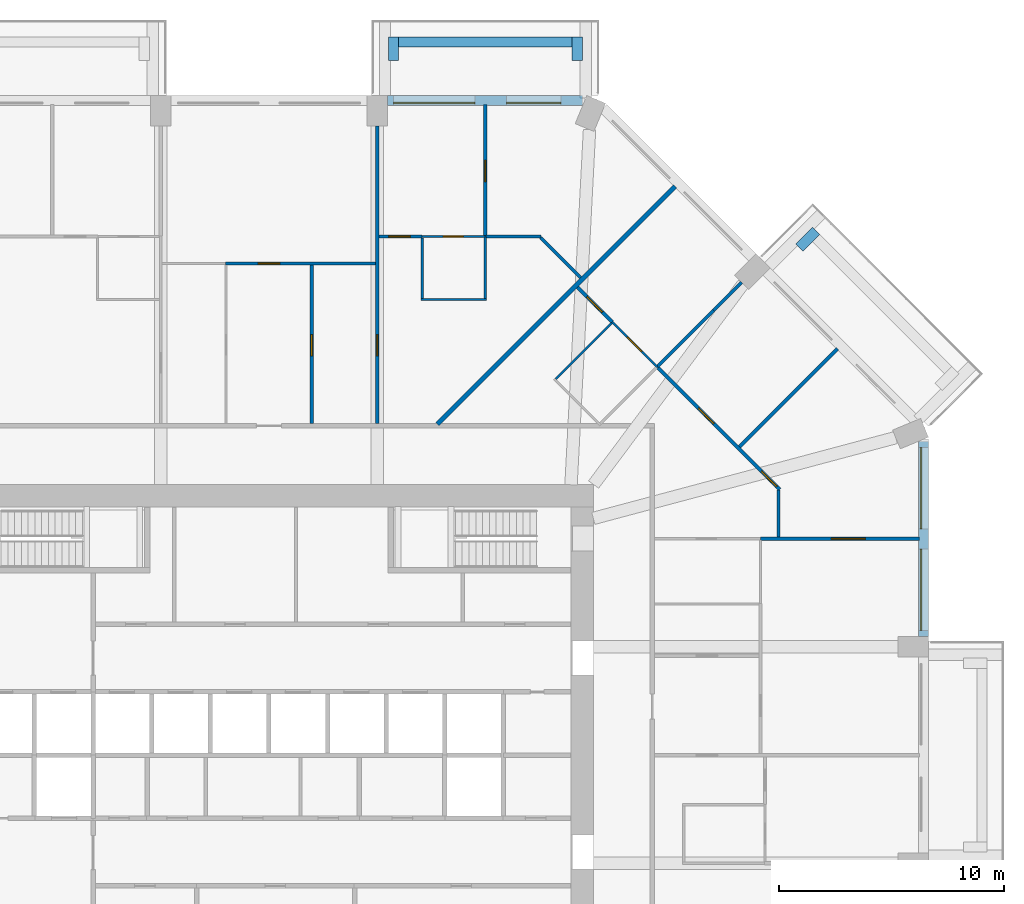
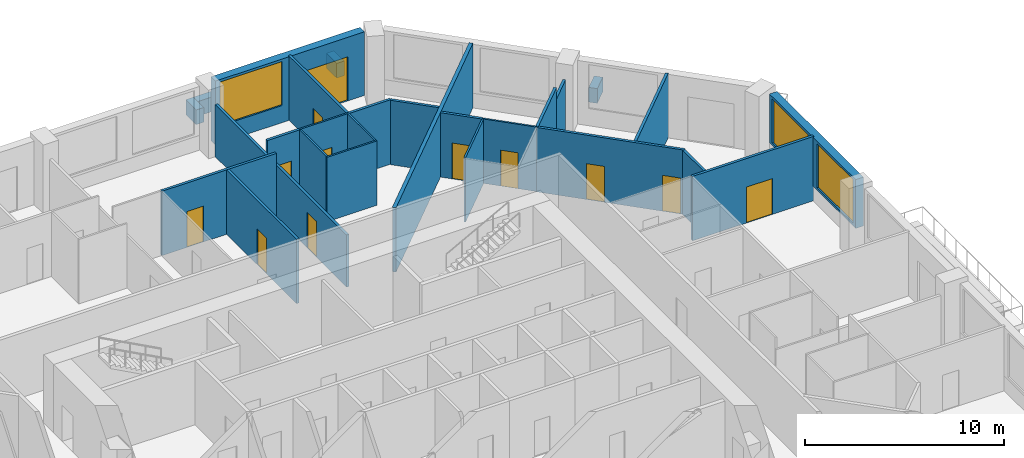
# One storey, part 10 of 13: 27 walls, 12 doors, 3 windows, 15 openings.
"""IFC4 building model written with IfcOpenShell, lengths in metres."""

from ifc_helpers import new_model, si_unit, direction, frame, frame_2d, origin, place, context, subcontext, project, spatial, rectangle, extrude, material, layer, layer_set, type_object, element, fill, save


model = new_model("IFC4")

# Units and contexts
model_context = context("Model", 3, precision=1e-05, world=origin(), true_north=direction((0.0, 1.0)))
body_context = subcontext(model_context, "Body", "Model", "MODEL_VIEW")
ifc_project = project(units=[si_unit("LENGTHUNIT", "METRE"), si_unit("AREAUNIT", "SQUARE_METRE"), si_unit("VOLUMEUNIT", "CUBIC_METRE"), si_unit("PLANEANGLEUNIT", "RADIAN"), si_unit("MASSUNIT", "GRAM", prefix="KILO")], contexts=[model_context])

# Site, building, storey
site_placement = place(None, origin())
site = spatial("IfcSite", under=ifc_project, at=site_placement, CompositionType="ELEMENT")
building_placement = place(site_placement, origin())
building = spatial("IfcBuilding", under=site, at=building_placement, Name="Msitu Wima Residences", CompositionType="ELEMENT")
storey_placement = place(building_placement, frame((0.0, 0.0, 71.699951171875)))
storey = spatial("IfcBuildingStorey", under=building, at=storey_placement, Name="L16", CompositionType="ELEMENT", Elevation=71.699951171875)

# Walls
ifc_material_1 = material(Name="Facing brick")
ifc_layer_1 = layer(ifc_material_1, 0.06494140625, Name="Facing brick")
ifc_material_2 = material(Name="Concrete C40/50", Category="concrete")
ifc_layer_2 = layer(ifc_material_2, 0.156005859375, Name="Concrete C40/50")
ifc_material_3 = material(Name="Waterproofing membrane")
ifc_layer_3 = layer(ifc_material_3, 0.00390625, Name="Waterproofing membrane")
ifc_material_4 = material(Name="Planting soil and planting")
ifc_layer_4 = layer(ifc_material_4, 0.22509765625, Name="Planting soil and planting")
ifc_layer_set_1 = layer_set([ifc_layer_1, ifc_layer_2, ifc_layer_3, ifc_layer_4], Name="Concrete C40/50")
wall_type_1 = type_object("IfcWallType", Name="Balcony planter PLANTER PL450", PredefinedType="USERDEFINED", material=ifc_layer_set_1)
wall_1_placement = place(storey_placement, frame((23.52685546875, 22.50146484375, 0.0), z_axis=(0.0, 0.0, 1.0), x_axis=(0.706990528533, 0.707223014731, 0.0)))
element("IfcWall", 1, at=wall_1_placement, inside=storey, type_object=wall_type_1, Name="Balcony planter NE0 L16", ObjectType="PLANTER", PredefinedType="USERDEFINED", context=body_context, shape_type="SweptSolid", body=[
    extrude(rectangle(XDim=1.050048828125, YDim=0.449951171875, at=frame_2d((0.52490234375, 0.0))), origin(), (0.0, 0.0, 1.0), 0.900146484375),
])
wall_2_placement = place(storey_placement, frame((13.449951171875, 31.625, 0.0), z_axis=(0.0, 0.0, 1.0), x_axis=(-1.0, 0.0, 0.0)))
element("IfcWall", 2, at=wall_2_placement, inside=storey, type_object=wall_type_1, Name="Balcony planter N0 L16", ObjectType="PLANTER", PredefinedType="USERDEFINED", context=body_context, shape_type="SweptSolid", body=[
    extrude(rectangle(XDim=7.699951171875, YDim=0.449951171875, at=frame_2d((3.85009765625, 0.0))), origin(), (0.0, 0.0, 1.0), 0.900146484375),
])
for number, where, z_axis, x_axis, name in (
    (3, (13.675048828125, 30.800048828125, 0.0), (0.0, 0.0, 1.0), (0.0, 1.0, 0.0), "Balcony planter N0 L16"),
    (4, (5.52490234375, 30.800048828125, 0.0), (0.0, 0.0, 1.0), (0.0, 1.0, 0.0), "Balcony planter N0 L16"),
):
    element("IfcWall", number, at=place(storey_placement, frame(where, z_axis=z_axis, x_axis=x_axis)), inside=storey, type_object=wall_type_1, Name=name, ObjectType="PLANTER", PredefinedType="USERDEFINED", context=body_context, shape_type="SweptSolid", body=[
        extrude(rectangle(XDim=1.050048828125, YDim=0.449951171875, at=frame_2d((0.52490234375, 0.0))), origin(), (0.0, 0.0, 1.0), 0.900146484375),
    ])

# Wall, openings, windows
ifc_material_5 = material(Name="Brick (red buff mix)", Category="masonry")
ifc_layer_5 = layer(ifc_material_5, 0.449951171875)
ifc_layer_set_2 = layer_set([ifc_layer_5], Name="Brick (red buff mix)")
wall_type_2 = type_object("IfcWallType", Name="Brick infill wall BW450", PredefinedType="SOLIDWALL", material=ifc_layer_set_2)
wall_3_placement = place(storey_placement, frame((29.02490234375, 5.25, 0.900146484375), z_axis=(0.0, 0.0, 1.0), x_axis=(0.0, 1.0, 0.0)))
wall_3 = element("IfcWall", 5, at=wall_3_placement, inside=storey, type_object=wall_type_2, Name="Brick infill wall L16 E2", PredefinedType="SOLIDWALL", context=body_context, shape_type="SweptSolid", body=[
    extrude(rectangle(XDim=8.662841796875, YDim=0.449951171875, at=frame_2d((4.33154296875, 0.0))), origin(), (0.0, 0.0, 1.0), 3.0),
])
opening_1_placement = place(wall_3_placement, frame((0.281494140625, 0.0, 0.14990234375)))
opening_1 = element("IfcOpeningElement", 6, at=opening_1_placement, cuts=wall_3, Name="Opening W16-17.004", PredefinedType="OPENING", context=body_context, shape_type="SweptSolid", body=[
    extrude(rectangle(XDim=3.60009765625, YDim=2.699951171875, at=frame_2d((1.800048828125, 1.35009765625))), frame((0.0, 0.23486328125, 0.0), z_axis=(0.0, -1.0, 0.0), x_axis=(1.0, 0.0, 0.0)), (0.0, 0.0, 1.0), 0.469970703125),
])
opening_2_placement = place(wall_3_placement, frame((4.781494140625, 0.0, 0.14990234375)))
opening_2 = element("IfcOpeningElement", 7, at=opening_2_placement, cuts=wall_3, Name="Opening W16-17.005", PredefinedType="OPENING", context=body_context, shape_type="SweptSolid", body=[
    extrude(rectangle(XDim=3.60009765625, YDim=2.699951171875, at=frame_2d((1.800048828125, 1.35009765625))), frame((0.0, 0.23486328125, 0.0), z_axis=(0.0, -1.0, 0.0), x_axis=(1.0, 0.0, 0.0)), (0.0, 0.0, 1.0), 0.469970703125),
])
ifc_material_6 = material(Name="Anodised aluminium, bronze finish, clear low-emissivity double glazing", Category="aluminium")
window_type = type_object("IfcWindowType", Name="Window W3600x2700", PartitioningType="DOUBLE_PANEL_VERTICAL", PredefinedType="WINDOW", material=ifc_material_6)
window_1_placement = place(opening_1_placement, origin())
window_1 = element("IfcWindow", 8, at=window_1_placement, inside=storey, type_object=window_type, Name="Window L16 E2.1", OverallHeight=2.699951171875, OverallWidth=3.60009765625, PartitioningType="SINGLE_PANEL", PredefinedType="WINDOW", context=body_context, shape_type="SweptSolid", body=[
    extrude(rectangle(XDim=3.60009765625, YDim=2.699951171875, at=frame_2d((1.800048828125, 1.35009765625))), frame((0.0, 0.135009765625, 0.0), z_axis=(0.0, -1.0, 0.0), x_axis=(1.0, 0.0, 0.0)), (0.0, 0.0, 1.0), 0.06005859375),
])
fill(opening_1, window_1)
window_2_placement = place(opening_2_placement, origin())
window_2 = element("IfcWindow", 9, at=window_2_placement, inside=storey, type_object=window_type, Name="Window L16 E2.2", OverallHeight=2.699951171875, OverallWidth=3.60009765625, PartitioningType="SINGLE_PANEL", PredefinedType="WINDOW", context=body_context, shape_type="SweptSolid", body=[
    extrude(rectangle(XDim=3.60009765625, YDim=2.699951171875, at=frame_2d((1.800048828125, 1.35009765625))), frame((0.0, 0.135009765625, 0.0), z_axis=(0.0, -1.0, 0.0), x_axis=(1.0, 0.0, 0.0)), (0.0, 0.0, 1.0), 0.06005859375),
])
fill(opening_2, window_2)

# Wall, openings, door, window
wall_4_placement = place(storey_placement, frame((13.912841796875, 29.02490234375, 0.0), z_axis=(0.0, 0.0, 1.0), x_axis=(-1.0, 0.0, 0.0)))
wall_4 = element("IfcWall", 10, at=wall_4_placement, inside=storey, type_object=wall_type_2, Name="Brick infill wall L16 N0", PredefinedType="SOLIDWALL", context=body_context, shape_type="SweptSolid", body=[
    extrude(rectangle(XDim=8.662841796875, YDim=0.449951171875, at=frame_2d((4.33154296875, 0.0))), origin(), (0.0, 0.0, 1.0), 3.900146484375),
])
opening_3_placement = place(wall_4_placement, frame((0.9658203125, 0.0, 0.0)))
opening_3 = element("IfcOpeningElement", 11, at=opening_3_placement, cuts=wall_4, Name="Opening D16-17.002", PredefinedType="OPENING", context=body_context, shape_type="SweptSolid", body=[
    extrude(rectangle(XDim=2.39990234375, YDim=2.699951171875, at=frame_2d((1.199951171875, 1.35009765625))), frame((0.0, 0.23486328125, 0.0), z_axis=(0.0, -1.0, 0.0), x_axis=(1.0, 0.0, 0.0)), (0.0, 0.0, 1.0), 0.469970703125),
])
opening_4_placement = place(wall_4_placement, frame((4.781494140625, 0.0, 1.050048828125)))
opening_4 = element("IfcOpeningElement", 12, at=opening_4_placement, cuts=wall_4, Name="Opening W16-17.006", PredefinedType="OPENING", context=body_context, shape_type="SweptSolid", body=[
    extrude(rectangle(XDim=3.60009765625, YDim=2.699951171875, at=frame_2d((1.800048828125, 1.35009765625))), frame((0.0, 0.23486328125, 0.0), z_axis=(0.0, -1.0, 0.0), x_axis=(1.0, 0.0, 0.0)), (0.0, 0.0, 1.0), 0.469970703125),
])
door_type_1 = type_object("IfcDoorType", Name="Balcony door D2400x2700", OperationType="SLIDING_TO_LEFT", PredefinedType="DOOR", material=ifc_material_6)
door_1_placement = place(opening_3_placement, origin())
door_1 = element("IfcDoor", 13, at=door_1_placement, inside=storey, type_object=door_type_1, Name="Balcony door L16 N0", OperationType="SINGLE_SWING_LEFT", OverallHeight=2.699951171875, OverallWidth=2.39990234375, PredefinedType="DOOR", context=body_context, shape_type="SweptSolid", body=[
    extrude(rectangle(XDim=2.39990234375, YDim=2.699951171875, at=frame_2d((1.199951171875, 1.35009765625))), frame((0.0, 0.1298828125, 0.0), z_axis=(0.0, -1.0, 0.0), x_axis=(1.0, 0.0, 0.0)), (0.0, 0.0, 1.0), 0.050048828125),
])
fill(opening_3, door_1)
window_3_placement = place(opening_4_placement, origin())
window_3 = element("IfcWindow", 14, at=window_3_placement, inside=storey, type_object=window_type, Name="Window L16 N0.2", OverallHeight=2.699951171875, OverallWidth=3.60009765625, PartitioningType="SINGLE_PANEL", PredefinedType="WINDOW", context=body_context, shape_type="SweptSolid", body=[
    extrude(rectangle(XDim=3.60009765625, YDim=2.699951171875, at=frame_2d((1.800048828125, 1.35009765625))), frame((0.0, 0.135009765625, 0.0), z_axis=(0.0, -1.0, 0.0), x_axis=(1.0, 0.0, 0.0)), (0.0, 0.0, 1.0), 0.06005859375),
])
fill(opening_4, window_3)

# Wall, opening, door
ifc_material_7 = material(Name="Plaster")
ifc_layer_6 = layer(ifc_material_7, 0.011962890625, Name="Plaster")
ifc_material_8 = material(Name="Concrete blockwork", Category="masonry")
ifc_layer_7 = layer(ifc_material_8, 0.1259765625, Name="Concrete blockwork")
ifc_layer_8 = layer(ifc_material_7, 0.011962890625, Name="Plaster")
ifc_layer_set_3 = layer_set([ifc_layer_6, ifc_layer_7, ifc_layer_8], Name="Concrete blockwork")
wall_type_3 = type_object("IfcWallType", Name="Partition PW150", PredefinedType="PARTITIONING", material=ifc_layer_set_3)
wall_5_placement = place(storey_placement, frame((-1.919921875, 21.800048828125, 0.0), z_axis=(0.0, 0.0, 1.0), x_axis=(1.0, 0.0, 0.0)))
wall_5 = element("IfcWall", 15, at=wall_5_placement, inside=storey, type_object=wall_type_3, Name="Partition", PredefinedType="PARTITIONING", context=body_context, shape_type="SweptSolid", body=[
    extrude(rectangle(XDim=6.64501953125, YDim=0.14990234375, at=frame_2d((3.322509765625, 0.0))), origin(), (0.0, 0.0, 1.0), 3.949951171875),
])
opening_5_placement = place(wall_5_placement, frame((1.449951171875, 0.0, 0.0)))
opening_5 = element("IfcOpeningElement", 16, at=opening_5_placement, cuts=wall_5, Name="Opening D16-17.053", PredefinedType="OPENING", context=body_context, shape_type="SweptSolid", body=[
    extrude(rectangle(XDim=0.949951171875, YDim=2.199951171875, at=frame_2d((0.47509765625, 1.10009765625))), frame((0.0, 0.0849609375, 0.0), z_axis=(0.0, -1.0, 0.0), x_axis=(1.0, 0.0, 0.0)), (0.0, 0.0, 1.0), 0.169921875),
])
ifc_material_9 = material(Name="Timber flush door", Category="wood")
door_type_2 = type_object("IfcDoorType", Name="Room door D12 950x2200", OperationType="SINGLE_SWING_LEFT", PredefinedType="DOOR", material=ifc_material_9)
door_2_placement = place(opening_5_placement, origin())
door_2 = element("IfcDoor", 17, at=door_2_placement, inside=storey, type_object=door_type_2, Name="Room door", OperationType="SINGLE_SWING_LEFT", OverallHeight=2.199951171875, OverallWidth=0.949951171875, PredefinedType="DOOR", context=body_context, shape_type="SweptSolid", body=[
    extrude(rectangle(XDim=0.949951171875, YDim=2.199951171875, at=frame_2d((0.47509765625, 1.10009765625))), frame((0.0, 0.02490234375, 0.0), z_axis=(0.0, -1.0, 0.0), x_axis=(1.0, 0.0, 0.0)), (0.0, 0.0, 1.0), 0.050048828125),
])
fill(opening_5, door_2)

wall_6_placement = place(storey_placement, frame((1.89990234375, 14.699951171875, 0.0), z_axis=(0.0, 0.0, 1.0), x_axis=(0.0, 1.0, 0.0)))
wall_6 = element("IfcWall", 18, at=wall_6_placement, inside=storey, type_object=wall_type_3, Name="Partition", PredefinedType="PARTITIONING", context=body_context, shape_type="SweptSolid", body=[
    extrude(rectangle(XDim=7.025146484375, YDim=0.14990234375, at=frame_2d((3.5126953125, 0.0))), origin(), (0.0, 0.0, 1.0), 3.949951171875),
])
opening_6_placement = place(wall_6_placement, frame((3.0, 0.0, 0.0)))
opening_6 = element("IfcOpeningElement", 19, at=opening_6_placement, cuts=wall_6, Name="Opening D16-17.064", PredefinedType="OPENING", context=body_context, shape_type="SweptSolid", body=[
    extrude(rectangle(XDim=0.949951171875, YDim=2.199951171875, at=frame_2d((0.47509765625, 1.10009765625))), frame((0.0, 0.0849609375, 0.0), z_axis=(0.0, -1.0, 0.0), x_axis=(1.0, 0.0, 0.0)), (0.0, 0.0, 1.0), 0.169921875),
])
door_3_placement = place(opening_6_placement, origin())
door_3 = element("IfcDoor", 20, at=door_3_placement, inside=storey, type_object=door_type_2, Name="Room door", OperationType="SINGLE_SWING_RIGHT", OverallHeight=2.199951171875, OverallWidth=0.949951171875, PredefinedType="DOOR", context=body_context, shape_type="SweptSolid", body=[
    extrude(rectangle(XDim=0.949951171875, YDim=2.199951171875, at=frame_2d((0.47509765625, 1.10009765625))), frame((0.0, 0.02490234375, 0.0), z_axis=(0.0, -1.0, 0.0), x_axis=(1.0, 0.0, 0.0)), (0.0, 0.0, 1.0), 0.050048828125),
])
fill(opening_6, door_3)

wall_7_placement = place(storey_placement, frame((4.800048828125, 14.699951171875, 0.0), z_axis=(0.0, 0.0, 1.0), x_axis=(0.0, 1.0, 0.0)))
wall_7 = element("IfcWall", 21, at=wall_7_placement, inside=storey, type_object=wall_type_3, Name="Partition", PredefinedType="PARTITIONING", context=body_context, shape_type="SweptSolid", body=[
    extrude(rectangle(XDim=13.199951171875, YDim=0.14990234375, at=frame_2d((6.60009765625, 0.0))), origin(), (0.0, 0.0, 1.0), 3.199951171875),
])
opening_7_placement = place(wall_7_placement, frame((3.0, 0.0, 0.0)))
opening_7 = element("IfcOpeningElement", 22, at=opening_7_placement, cuts=wall_7, Name="Opening D16-17.092", PredefinedType="OPENING", context=body_context, shape_type="SweptSolid", body=[
    extrude(rectangle(XDim=0.949951171875, YDim=2.199951171875, at=frame_2d((0.47509765625, 1.10009765625))), frame((0.0, 0.0849609375, 0.0), z_axis=(0.0, -1.0, 0.0), x_axis=(1.0, 0.0, 0.0)), (0.0, 0.0, 1.0), 0.169921875),
])
door_4_placement = place(opening_7_placement, origin())
door_4 = element("IfcDoor", 23, at=door_4_placement, inside=storey, type_object=door_type_2, Name="Room door", OperationType="SINGLE_SWING_LEFT", OverallHeight=2.199951171875, OverallWidth=0.949951171875, PredefinedType="DOOR", context=body_context, shape_type="SweptSolid", body=[
    extrude(rectangle(XDim=0.949951171875, YDim=2.199951171875, at=frame_2d((0.47509765625, 1.10009765625))), frame((0.0, 0.02490234375, 0.0), z_axis=(0.0, -1.0, 0.0), x_axis=(1.0, 0.0, 0.0)), (0.0, 0.0, 1.0), 0.050048828125),
])
fill(opening_7, door_4)

wall_8_placement = place(storey_placement, frame((4.875, 23.0, 0.0), z_axis=(0.0, 0.0, 1.0), x_axis=(1.0, 0.0, 0.0)))
wall_8 = element("IfcWall", 24, at=wall_8_placement, inside=storey, type_object=wall_type_3, Name="Partition", PredefinedType="PARTITIONING", context=body_context, shape_type="SweptSolid", body=[
    extrude(rectangle(XDim=1.905029296875, YDim=0.14990234375, at=frame_2d((0.95263671875, 0.0))), origin(), (0.0, 0.0, 1.0), 3.949951171875),
])
opening_8_placement = place(wall_8_placement, frame((0.449951171875, 0.0, 0.0)))
opening_8 = element("IfcOpeningElement", 25, at=opening_8_placement, cuts=wall_8, Name="Opening D16-17.093", PredefinedType="OPENING", context=body_context, shape_type="SweptSolid", body=[
    extrude(rectangle(XDim=0.949951171875, YDim=2.199951171875, at=frame_2d((0.47509765625, 1.10009765625))), frame((0.0, 0.0849609375, 0.0), z_axis=(0.0, -1.0, 0.0), x_axis=(1.0, 0.0, 0.0)), (0.0, 0.0, 1.0), 0.169921875),
])
door_5_placement = place(opening_8_placement, origin())
door_5 = element("IfcDoor", 26, at=door_5_placement, inside=storey, type_object=door_type_2, Name="Room door", OperationType="SINGLE_SWING_LEFT", OverallHeight=2.199951171875, OverallWidth=0.949951171875, PredefinedType="DOOR", context=body_context, shape_type="SweptSolid", body=[
    extrude(rectangle(XDim=0.949951171875, YDim=2.199951171875, at=frame_2d((0.47509765625, 1.10009765625))), frame((0.0, 0.02490234375, 0.0), z_axis=(0.0, -1.0, 0.0), x_axis=(1.0, 0.0, 0.0)), (0.0, 0.0, 1.0), 0.050048828125),
])
fill(opening_8, door_5)

wall_9_placement = place(storey_placement, frame((9.60009765625, 22.97998046875, 0.0), z_axis=(0.0, 0.0, 1.0), x_axis=(0.0, 1.0, 0.0)))
wall_9 = element("IfcWall", 27, at=wall_9_placement, inside=storey, type_object=wall_type_3, Name="Partition", PredefinedType="PARTITIONING", context=body_context, shape_type="SweptSolid", body=[
    extrude(rectangle(XDim=5.875, YDim=0.14990234375, at=frame_2d((2.9375, 0.0))), origin(), (0.0, 0.0, 1.0), 3.949951171875),
])
opening_9_placement = place(wall_9_placement, frame((2.449951171875, 0.0, 0.0)))
opening_9 = element("IfcOpeningElement", 28, at=opening_9_placement, cuts=wall_9, Name="Opening D16-17.043", PredefinedType="OPENING", context=body_context, shape_type="SweptSolid", body=[
    extrude(rectangle(XDim=0.949951171875, YDim=2.199951171875, at=frame_2d((0.47509765625, 1.10009765625))), frame((0.0, 0.0849609375, 0.0), z_axis=(0.0, -1.0, 0.0), x_axis=(1.0, 0.0, 0.0)), (0.0, 0.0, 1.0), 0.169921875),
])
door_6_placement = place(opening_9_placement, origin())
door_6 = element("IfcDoor", 29, at=door_6_placement, inside=storey, type_object=door_type_2, Name="Room door", OperationType="SINGLE_SWING_RIGHT", OverallHeight=2.199951171875, OverallWidth=0.949951171875, PredefinedType="DOOR", context=body_context, shape_type="SweptSolid", body=[
    extrude(rectangle(XDim=0.949951171875, YDim=2.199951171875, at=frame_2d((0.47509765625, 1.10009765625))), frame((0.0, 0.02490234375, 0.0), z_axis=(0.0, -1.0, 0.0), x_axis=(1.0, 0.0, 0.0)), (0.0, 0.0, 1.0), 0.050048828125),
])
fill(opening_9, door_6)

# Walls
wall_10_placement = place(storey_placement, frame((9.6201171875, 23.0, 0.0), z_axis=(0.0, 0.0, 1.0), x_axis=(1.0, 0.0, 0.0)))
element("IfcWall", 30, at=wall_10_placement, inside=storey, type_object=wall_type_3, Name="Partition", PredefinedType="PARTITIONING", context=body_context, shape_type="SweptSolid", body=[
    extrude(rectangle(XDim=2.452392578125, YDim=0.14990234375, at=frame_2d((1.22607421875, 0.0))), origin(), (0.0, 0.0, 1.0), 3.949951171875),
])
wall_11_placement = place(storey_placement, frame((12.050537109375, 22.947021484375, 0.0), z_axis=(0.0, 0.0, 1.0), x_axis=(0.707106781187, -0.707106781187, 0.0)))
element("IfcWall", 31, at=wall_11_placement, inside=storey, type_object=wall_type_3, Name="Partition", PredefinedType="PARTITIONING", context=body_context, shape_type="SweptSolid", body=[
    extrude(rectangle(XDim=2.513916015625, YDim=0.14990234375, at=frame_2d((1.2568359375, 0.0))), origin(), (0.0, 0.0, 1.0), 3.949951171875),
])

# Wall, opening, door
wall_12_placement = place(storey_placement, frame((13.686767578125, 20.7451171875, 0.0), z_axis=(0.0, 0.0, 1.0), x_axis=(0.707106781187, -0.707106781187, 0.0)))
wall_12 = element("IfcWall", 32, at=wall_12_placement, inside=storey, type_object=wall_type_3, Name="Partition", PredefinedType="PARTITIONING", context=body_context, shape_type="SweptSolid", body=[
    extrude(rectangle(XDim=2.171142578125, YDim=0.14990234375, at=frame_2d((1.08544921875, 0.0))), origin(), (0.0, 0.0, 1.0), 3.949951171875),
])
opening_10_placement = place(wall_12_placement, frame((0.60009765625, 0.0, 0.0)))
opening_10 = element("IfcOpeningElement", 33, at=opening_10_placement, cuts=wall_12, Name="Opening D16-17.088", PredefinedType="OPENING", context=body_context, shape_type="SweptSolid", body=[
    extrude(rectangle(XDim=0.949951171875, YDim=2.199951171875, at=frame_2d((0.47509765625, 1.10009765625))), frame((0.0, 0.0849609375, 0.0), z_axis=(0.0, -1.0, 0.0), x_axis=(1.0, 0.0, 0.0)), (0.0, 0.0, 1.0), 0.169921875),
])
door_7_placement = place(opening_10_placement, origin())
door_7 = element("IfcDoor", 34, at=door_7_placement, inside=storey, type_object=door_type_2, Name="Room door", OperationType="SINGLE_SWING_LEFT", OverallHeight=2.199951171875, OverallWidth=0.949951171875, PredefinedType="DOOR", context=body_context, shape_type="SweptSolid", body=[
    extrude(rectangle(XDim=0.949951171875, YDim=2.199951171875, at=frame_2d((0.47509765625, 1.10009765625))), frame((0.0, 0.02490234375, 0.0), z_axis=(0.0, -1.0, 0.0), x_axis=(1.0, 0.0, 0.0)), (0.0, 0.0, 1.0), 0.050048828125),
])
fill(opening_10, door_7)

# Walls
wall_13_placement = place(storey_placement, frame((17.201904296875, 17.201904296875, 0.0), z_axis=(0.0, 0.0, 1.0), x_axis=(0.707106781187, 0.707106781187, 0.0)))
element("IfcWall", 35, at=wall_13_placement, inside=storey, type_object=wall_type_3, Name="Partition", PredefinedType="PARTITIONING", context=body_context, shape_type="SweptSolid", body=[
    extrude(rectangle(XDim=3.571533203125, YDim=0.14990234375, at=frame_2d((1.78564453125, 0.0))), origin(), (0.0, 0.0, 1.0), 3.949951171875),
])
wall_14_placement = place(storey_placement, frame((19.727294921875, 19.727294921875, 0.0), z_axis=(0.0, 0.0, 1.0), x_axis=(0.707106781187, 0.707106781187, 0.0)))
element("IfcWall", 36, at=wall_14_placement, inside=storey, type_object=wall_type_3, Name="Partition", PredefinedType="PARTITIONING", context=body_context, shape_type="SweptSolid", body=[
    extrude(rectangle(XDim=1.74853515625, YDim=0.14990234375, at=frame_2d((0.874267578125, 0.0))), origin(), (0.0, 0.0, 1.0), 3.25),
])

# Wall, openings, doors
wall_15_placement = place(storey_placement, frame((17.2158203125, 17.2158203125, 0.0), z_axis=(0.0, 0.0, 1.0), x_axis=(0.707122656422, -0.707090905595, 0.0)))
wall_15 = element("IfcWall", 37, at=wall_15_placement, inside=storey, type_object=wall_type_3, Name="Partition", PredefinedType="PARTITIONING", context=body_context, shape_type="SweptSolid", body=[
    extrude(rectangle(XDim=7.689208984375, YDim=0.14990234375, at=frame_2d((3.8447265625, 0.0))), origin(), (0.0, 0.0, 1.0), 3.949951171875),
])
opening_11_placement = place(wall_15_placement, frame((6.550048828125, 0.0, 0.0)))
opening_11 = element("IfcOpeningElement", 38, at=opening_11_placement, cuts=wall_15, Name="Opening D16-17.085", PredefinedType="OPENING", context=body_context, shape_type="SweptSolid", body=[
    extrude(rectangle(XDim=0.949951171875, YDim=2.199951171875, at=frame_2d((0.47509765625, 1.10009765625))), frame((0.0, 0.0849609375, 0.0), z_axis=(0.0, -1.0, 0.0), x_axis=(1.0, 0.0, 0.0)), (0.0, 0.0, 1.0), 0.169921875),
])
opening_12_placement = place(wall_15_placement, frame((2.60009765625, 0.0, 0.0)))
opening_12 = element("IfcOpeningElement", 39, at=opening_12_placement, cuts=wall_15, Name="Opening D16-17.087", PredefinedType="OPENING", context=body_context, shape_type="SweptSolid", body=[
    extrude(rectangle(XDim=0.949951171875, YDim=2.199951171875, at=frame_2d((0.47509765625, 1.10009765625))), frame((0.0, 0.0849609375, 0.0), z_axis=(0.0, -1.0, 0.0), x_axis=(1.0, 0.0, 0.0)), (0.0, 0.0, 1.0), 0.169921875),
])
door_8_placement = place(opening_11_placement, origin())
door_8 = element("IfcDoor", 40, at=door_8_placement, inside=storey, type_object=door_type_2, Name="Room door", OperationType="SINGLE_SWING_LEFT", OverallHeight=2.199951171875, OverallWidth=0.949951171875, PredefinedType="DOOR", context=body_context, shape_type="SweptSolid", body=[
    extrude(rectangle(XDim=0.949951171875, YDim=2.199951171875, at=frame_2d((0.47509765625, 1.10009765625))), frame((0.0, 0.02490234375, 0.0), z_axis=(0.0, -1.0, 0.0), x_axis=(1.0, 0.0, 0.0)), (0.0, 0.0, 1.0), 0.050048828125),
])
fill(opening_11, door_8)
door_9_placement = place(opening_12_placement, origin())
door_9 = element("IfcDoor", 41, at=door_9_placement, inside=storey, type_object=door_type_2, Name="Room door", OperationType="SINGLE_SWING_RIGHT", OverallHeight=2.199951171875, OverallWidth=0.949951171875, PredefinedType="DOOR", context=body_context, shape_type="SweptSolid", body=[
    extrude(rectangle(XDim=0.949951171875, YDim=2.199951171875, at=frame_2d((0.47509765625, 1.10009765625))), frame((0.0, 0.02490234375, 0.0), z_axis=(0.0, -1.0, 0.0), x_axis=(1.0, 0.0, 0.0)), (0.0, 0.0, 1.0), 0.050048828125),
])
fill(opening_12, door_9)

# Wall
wall_16_placement = place(storey_placement, frame((20.868896484375, 13.6689453125, 0.0), z_axis=(0.0, 0.0, 1.0), x_axis=(0.707126629519, 0.707086932297, 0.0)))
element("IfcWall", 42, at=wall_16_placement, inside=storey, type_object=wall_type_3, Name="Partition", PredefinedType="PARTITIONING", context=body_context, shape_type="SweptSolid", body=[
    extrude(rectangle(XDim=6.150146484375, YDim=0.14990234375, at=frame_2d((3.0751953125, 0.0))), origin(), (0.0, 0.0, 1.0), 3.949951171875),
])

# Wall, opening, door
wall_17_placement = place(storey_placement, frame((21.800048828125, 9.60009765625, 0.0), z_axis=(0.0, 0.0, 1.0), x_axis=(1.0, 0.0, 0.0)))
wall_17 = element("IfcWall", 43, at=wall_17_placement, inside=storey, type_object=wall_type_3, Name="Partition", PredefinedType="PARTITIONING", context=body_context, shape_type="SweptSolid", body=[
    extrude(rectangle(XDim=7.054931640625, YDim=0.14990234375, at=frame_2d((3.52734375, 0.0))), origin(), (0.0, 0.0, 1.0), 3.949951171875),
])
opening_13_placement = place(wall_17_placement, frame((3.14990234375, 0.0, 0.0)))
opening_13 = element("IfcOpeningElement", 44, at=opening_13_placement, cuts=wall_17, Name="Opening D16-17.078", PredefinedType="OPENING", context=body_context, shape_type="SweptSolid", body=[
    extrude(rectangle(XDim=1.5, YDim=2.199951171875, at=frame_2d((0.75, 1.10009765625))), frame((0.0, 0.0849609375, 0.0), z_axis=(0.0, -1.0, 0.0), x_axis=(1.0, 0.0, 0.0)), (0.0, 0.0, 1.0), 0.169921875),
])
ifc_material_10 = material(Name="Timber double door", Category="wood")
door_type_3 = type_object("IfcDoorType", Name="Double door D04 1500x2200", OperationType="DOUBLE_DOOR_SINGLE_SWING", PredefinedType="DOOR", material=ifc_material_10)
door_10_placement = place(opening_13_placement, origin())
door_10 = element("IfcDoor", 45, at=door_10_placement, inside=storey, type_object=door_type_3, Name="Double door", OperationType="DOUBLE_DOOR_SINGLE_SWING", OverallHeight=2.199951171875, OverallWidth=1.5, PredefinedType="DOOR", context=body_context, shape_type="SweptSolid", body=[
    extrude(rectangle(XDim=1.5, YDim=2.199951171875, at=frame_2d((0.75, 1.10009765625))), frame((0.0, 0.02490234375, 0.0), z_axis=(0.0, -1.0, 0.0), x_axis=(1.0, 0.0, 0.0)), (0.0, 0.0, 1.0), 0.050048828125),
])
fill(opening_13, door_10)

# Walls
wall_18_placement = place(storey_placement, frame((22.60009765625, 9.675048828125, 0.0), z_axis=(0.0, 0.0, 1.0), x_axis=(0.0, 1.0, 0.0)))
element("IfcWall", 46, at=wall_18_placement, inside=storey, type_object=wall_type_3, Name="Partition", PredefinedType="PARTITIONING", context=body_context, shape_type="SweptSolid", body=[
    extrude(rectangle(XDim=2.081787109375, YDim=0.14990234375, at=frame_2d((1.041015625, 0.0))), origin(), (0.0, 0.0, 1.0), 3.949951171875),
])
ifc_layer_9 = layer(ifc_material_7, 0.011962890625, Name="Plaster")
ifc_material_11 = material(Name="Dense concrete blockwork", Category="masonry")
ifc_layer_10 = layer(ifc_material_11, 0.176025390625, Name="Dense concrete blockwork")
ifc_layer_11 = layer(ifc_material_7, 0.011962890625, Name="Plaster")
ifc_layer_set_4 = layer_set([ifc_layer_9, ifc_layer_10, ifc_layer_11], Name="Dense concrete blockwork")
wall_type_4 = type_object("IfcWallType", Name="Party wall PW200", PredefinedType="PARTITIONING", material=ifc_layer_set_4)
wall_19_placement = place(storey_placement, frame((7.470703125, 14.670654296875, 0.0), z_axis=(0.0, 0.0, 1.0), x_axis=(0.707098597128, 0.707114965151, 0.0)))
element("IfcWall", 47, at=wall_19_placement, inside=storey, type_object=wall_type_4, Name="Party wall", PredefinedType="PARTITIONING", context=body_context, shape_type="SweptSolid", body=[
    extrude(rectangle(XDim=14.915771484375, YDim=0.199951171875, at=frame_2d((7.4580078125, 0.0))), origin(), (0.0, 0.0, 1.0), 3.949951171875),
])

# Wall, opening, door
ifc_material_12 = material(Name="Ceramic tiles")
ifc_layer_12 = layer(ifc_material_12, 0.008056640625, Name="Ceramic tiles")
ifc_material_13 = material(Name="Moisture-resistant board")
ifc_layer_13 = layer(ifc_material_13, 0.012451171875, Name="Moisture-resistant board")
ifc_material_14 = material(Name="Light-gauge stud framing with mineral wool")
ifc_layer_14 = layer(ifc_material_14, 0.06689453125, Name="Light-gauge stud framing with mineral wool")
ifc_layer_15 = layer(ifc_material_13, 0.012451171875, Name="Moisture-resistant board")
ifc_layer_set_5 = layer_set([ifc_layer_12, ifc_layer_13, ifc_layer_14, ifc_layer_15], Name="Light-gauge stud framing with mineral wool")
wall_type_5 = type_object("IfcWallType", Name="Wet wall PW100", PredefinedType="PARTITIONING", material=ifc_layer_set_5)
wall_20_placement = place(storey_placement, frame((6.780029296875, 23.0, 0.0), z_axis=(0.0, 0.0, 1.0), x_axis=(1.0, 0.0, 0.0)))
wall_20 = element("IfcWall", 48, at=wall_20_placement, inside=storey, type_object=wall_type_5, Name="Wet wall", PredefinedType="PARTITIONING", context=body_context, shape_type="SweptSolid", body=[
    extrude(rectangle(XDim=2.840087890625, YDim=0.10009765625, at=frame_2d((1.419921875, 0.0))), origin(), (0.0, 0.0, 1.0), 3.949951171875),
])
opening_14_placement = place(wall_20_placement, frame((0.949951171875, 0.0, 0.0)))
opening_14 = element("IfcOpeningElement", 49, at=opening_14_placement, cuts=wall_20, Name="Opening D16-17.094", PredefinedType="OPENING", context=body_context, shape_type="SweptSolid", body=[
    extrude(rectangle(XDim=0.89990234375, YDim=2.199951171875, at=frame_2d((0.449951171875, 1.10009765625))), frame((0.0, 0.06005859375, 0.0), z_axis=(0.0, -1.0, 0.0), x_axis=(1.0, 0.0, 0.0)), (0.0, 0.0, 1.0), 0.1201171875),
])
ifc_material_15 = material(Name="Timber flush door, moisture resistant", Category="wood")
door_type_4 = type_object("IfcDoorType", Name="Bathroom door D03 900x2200", OperationType="SINGLE_SWING_LEFT", PredefinedType="DOOR", material=ifc_material_15)
door_11_placement = place(opening_14_placement, origin())
door_11 = element("IfcDoor", 50, at=door_11_placement, inside=storey, type_object=door_type_4, Name="Bathroom door", OperationType="SINGLE_SWING_RIGHT", OverallHeight=2.199951171875, OverallWidth=0.89990234375, PredefinedType="DOOR", context=body_context, shape_type="SweptSolid", body=[
    extrude(rectangle(XDim=0.89990234375, YDim=2.199951171875, at=frame_2d((0.449951171875, 1.10009765625))), frame((0.0, 0.02490234375, 0.0), z_axis=(0.0, -1.0, 0.0), x_axis=(1.0, 0.0, 0.0)), (0.0, 0.0, 1.0), 0.050048828125),
])
fill(opening_14, door_11)

# Walls
wall_21_placement = place(storey_placement, frame((6.800048828125, 20.25, 0.0), z_axis=(0.0, 0.0, 1.0), x_axis=(0.0, 1.0, 0.0)))
element("IfcWall", 51, at=wall_21_placement, inside=storey, type_object=wall_type_5, Name="Wet wall", PredefinedType="PARTITIONING", context=body_context, shape_type="SweptSolid", body=[
    extrude(rectangle(XDim=2.675048828125, YDim=0.10009765625, at=frame_2d((1.33740234375, 0.0))), origin(), (0.0, 0.0, 1.0), 3.949951171875),
])
wall_22_placement = place(storey_placement, frame((6.75, 20.199951171875, 0.0), z_axis=(0.0, 0.0, 1.0), x_axis=(1.0, 0.0, 0.0)))
element("IfcWall", 52, at=wall_22_placement, inside=storey, type_object=wall_type_5, Name="Wet wall", PredefinedType="PARTITIONING", context=body_context, shape_type="SweptSolid", body=[
    extrude(rectangle(XDim=2.89990234375, YDim=0.10009765625, at=frame_2d((1.449951171875, 0.0))), origin(), (0.0, 0.0, 1.0), 3.949951171875),
])
wall_23_placement = place(storey_placement, frame((9.60009765625, 20.25, 0.0), z_axis=(0.0, 0.0, 1.0), x_axis=(0.0, 1.0, 0.0)))
element("IfcWall", 53, at=wall_23_placement, inside=storey, type_object=wall_type_5, Name="Wet wall", PredefinedType="PARTITIONING", context=body_context, shape_type="SweptSolid", body=[
    extrude(rectangle(XDim=2.72998046875, YDim=0.10009765625, at=frame_2d((1.364990234375, 0.0))), origin(), (0.0, 0.0, 1.0), 3.949951171875),
])
wall_24_placement = place(storey_placement, frame((12.725830078125, 16.685546875, 0.0), z_axis=(0.0, 0.0, 1.0), x_axis=(0.707106781187, 0.707106781187, 0.0)))
element("IfcWall", 54, at=wall_24_placement, inside=storey, type_object=wall_type_5, Name="Wet wall", PredefinedType="PARTITIONING", context=body_context, shape_type="SweptSolid", body=[
    extrude(rectangle(XDim=3.5, YDim=0.10009765625, at=frame_2d((1.75, 0.0))), origin(), (0.0, 0.0, 1.0), 3.949951171875),
])

# Wall, opening, door
wall_25_placement = place(storey_placement, frame((15.221923828125, 19.2099609375, 0.0), z_axis=(0.0, 0.0, 1.0), x_axis=(0.707063492027, -0.707150067696, 0.0)))
wall_25 = element("IfcWall", 55, at=wall_25_placement, inside=storey, type_object=wall_type_5, Name="Wet wall", PredefinedType="PARTITIONING", context=body_context, shape_type="SweptSolid", body=[
    extrude(rectangle(XDim=2.820068359375, YDim=0.10009765625, at=frame_2d((1.41015625, 0.0))), origin(), (0.0, 0.0, 1.0), 3.949951171875),
])
opening_15_placement = place(wall_25_placement, frame((0.949951171875, 0.0, 0.0)))
opening_15 = element("IfcOpeningElement", 56, at=opening_15_placement, cuts=wall_25, Name="Opening D16-17.089", PredefinedType="OPENING", context=body_context, shape_type="SweptSolid", body=[
    extrude(rectangle(XDim=0.89990234375, YDim=2.199951171875, at=frame_2d((0.449951171875, 1.10009765625))), frame((0.0, 0.06005859375, 0.0), z_axis=(0.0, -1.0, 0.0), x_axis=(1.0, 0.0, 0.0)), (0.0, 0.0, 1.0), 0.1201171875),
])
door_12_placement = place(opening_15_placement, origin())
door_12 = element("IfcDoor", 57, at=door_12_placement, inside=storey, type_object=door_type_4, Name="Bathroom door", OperationType="SINGLE_SWING_RIGHT", OverallHeight=2.199951171875, OverallWidth=0.89990234375, PredefinedType="DOOR", context=body_context, shape_type="SweptSolid", body=[
    extrude(rectangle(XDim=0.89990234375, YDim=2.199951171875, at=frame_2d((0.449951171875, 1.10009765625))), frame((0.0, 0.02490234375, 0.0), z_axis=(0.0, -1.0, 0.0), x_axis=(1.0, 0.0, 0.0)), (0.0, 0.0, 1.0), 0.050048828125),
])
fill(opening_15, door_12)

save(model, "model.ifc")
